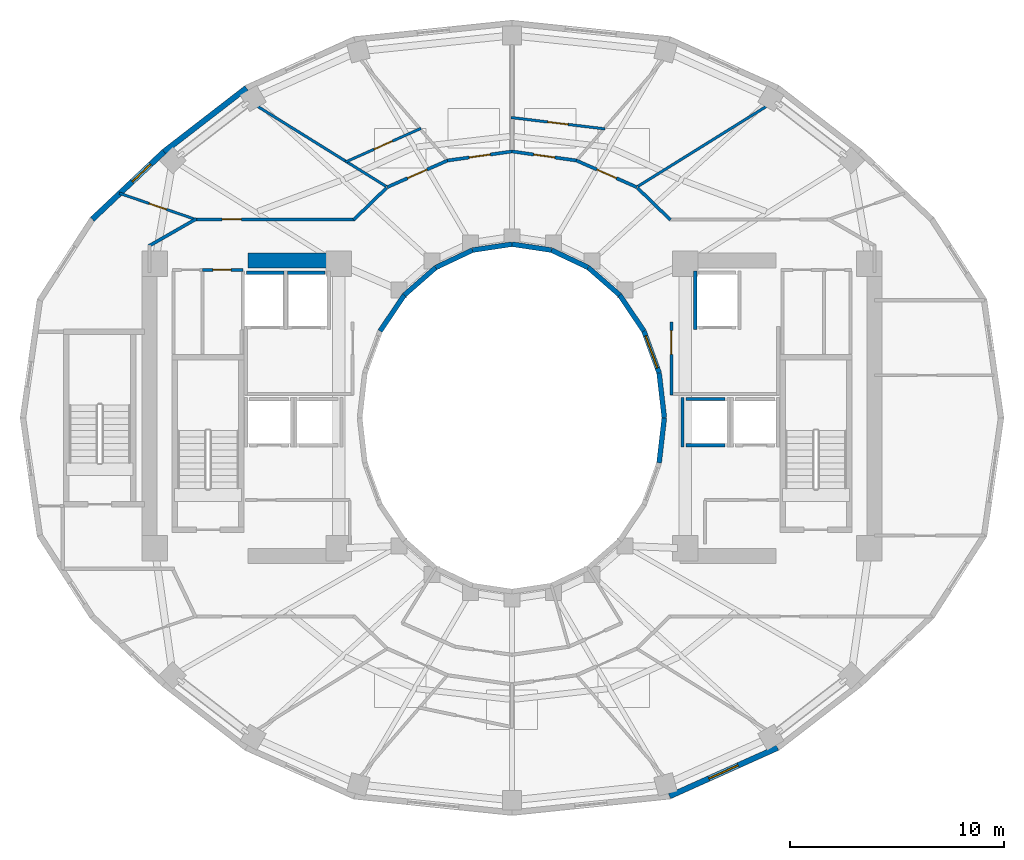
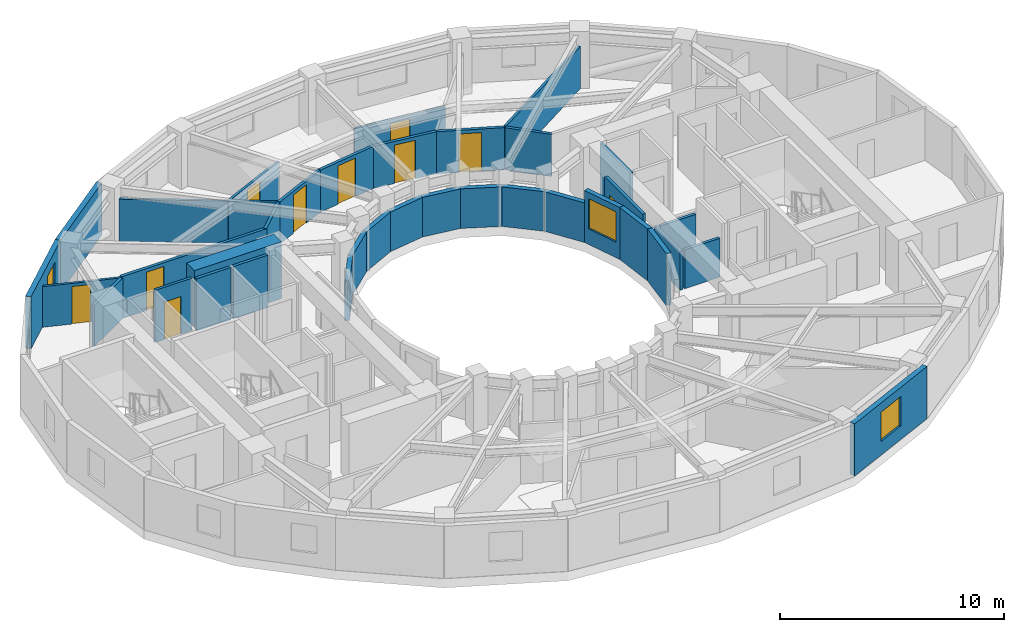
# One storey, part 5 of 9: 36 walls, 10 doors, 3 windows, 13 openings.
"""IFC4 building model written with IfcOpenShell, lengths in metres."""

from ifc_helpers import new_model, si_unit, direction, frame, frame_2d, origin, place, context, subcontext, project, spatial, rectangle, extrude, material, layer, layer_set, type_object, element, fill, save


model = new_model("IFC4")

# Units and contexts
model_context = context("Model", 3, precision=1e-05, world=origin(), true_north=direction((0.0, 1.0)))
body_context = subcontext(model_context, "Body", "Model", "MODEL_VIEW")
ifc_project = project(units=[si_unit("LENGTHUNIT", "METRE"), si_unit("AREAUNIT", "SQUARE_METRE"), si_unit("VOLUMEUNIT", "CUBIC_METRE"), si_unit("PLANEANGLEUNIT", "RADIAN"), si_unit("MASSUNIT", "GRAM", prefix="KILO")], contexts=[model_context])

# Site, building, storey
site_placement = place(None, origin())
site = spatial("IfcSite", under=ifc_project, at=site_placement, CompositionType="ELEMENT")
building_placement = place(site_placement, origin())
building = spatial("IfcBuilding", under=site, at=building_placement, Name="Solvane Sanctuary Tower", CompositionType="ELEMENT")
storey_placement = place(building_placement, frame((0.0, 0.0, 143.60009765625)))
storey = spatial("IfcBuildingStorey", under=building, at=storey_placement, Name="L43", CompositionType="ELEMENT", Elevation=143.60009765625)

# Wall
ifc_material_1 = material(Name="Concrete C60/75", Category="concrete")
ifc_layer_1 = layer(ifc_material_1, 0.699951171875, Name="Concrete C60/75")
ifc_layer_set_1 = layer_set([ifc_layer_1], Name="Concrete C60/75")
wall_type_1 = type_object("IfcWallType", Name="Wall W-CORE-700", PredefinedType="SHEAR", material=ifc_layer_set_1)
wall_1_placement = place(storey_placement, frame((19.64990234375, 30.35009765625, 0.0), z_axis=(0.0, 0.0, 1.0), x_axis=(1.0, 0.0, 0.0)))
element("IfcWall", 1, at=wall_1_placement, inside=storey, type_object=wall_type_1, Name="L43 Core Shear Wall WC-N", PredefinedType="SHEAR", context=body_context, shape_type="SweptSolid", body=[
    extrude(rectangle(XDim=4.5, YDim=0.699951171875, at=frame_2d((2.25, 0.0))), origin(), (0.0, 0.0, 1.0), 3.099853515625),
])

# Wall, opening, door
ifc_material_2 = material(Name="Acoustic Gypsum Partition Board")
ifc_layer_2 = layer(ifc_material_2, 0.14990234375, Name="Acoustic Gypsum Partition Board")
ifc_layer_set_2 = layer_set([ifc_layer_2], Name="Acoustic Gypsum Partition Board")
wall_type_2 = type_object("IfcWallType", Name="Wall W-CORR-150", PredefinedType="PARTITIONING", material=ifc_layer_set_2)
wall_2_placement = place(storey_placement, frame((39.449951171875, 24.080078125, 0.0), z_axis=(0.0, 0.0, 1.0), x_axis=(0.0, 1.0, 0.0)))
wall_2 = element("IfcWall", 2, at=wall_2_placement, inside=storey, type_object=wall_type_2, Name="L43 East Firefighting Lobby West Wall", PredefinedType="PARTITIONING", context=body_context, shape_type="SweptSolid", body=[
    extrude(rectangle(XDim=3.39990234375, YDim=0.14990234375, at=frame_2d((1.699951171875, 0.0))), origin(), (0.0, 0.0, 1.0), 2.85498046875),
])
opening_1_placement = place(wall_2_placement, frame((1.893798828125, 0.0, 0.0)))
opening_1 = element("IfcOpeningElement", 3, at=opening_1_placement, cuts=wall_2, Name="Opening D-L43-05", PredefinedType="OPENING", context=body_context, shape_type="SweptSolid", body=[
    extrude(rectangle(XDim=1.10009765625, YDim=2.10009765625, at=frame_2d((0.550048828125, 1.050048828125))), frame((0.0, 0.0849609375, 0.0), z_axis=(0.0, -1.0, 0.0), x_axis=(1.0, 0.0, 0.0)), (0.0, 0.0, 1.0), 0.169921875),
])
ifc_material_3 = material(Name="Architectural Stainless Steel 316", Category="steel")
door_type_1 = type_object("IfcDoorType", Name="Door D-FFL", OperationType="NOTDEFINED", PredefinedType="DOOR", material=ifc_material_3)
door_1_placement = place(opening_1_placement, origin())
door_1 = element("IfcDoor", 4, at=door_1_placement, inside=storey, type_object=door_type_1, Name="L43 East Firefighting Lobby Fire Door", OperationType="SINGLE_SWING_RIGHT", OverallHeight=2.10009765625, OverallWidth=1.10009765625, PredefinedType="DOOR", context=body_context, shape_type="SweptSolid", body=[
    extrude(rectangle(XDim=1.10009765625, YDim=2.10009765625, at=frame_2d((0.550048828125, 1.050048828125))), frame((0.0, 0.02490234375, 0.0), z_axis=(0.0, -1.0, 0.0), x_axis=(1.0, 0.0, 0.0)), (0.0, 0.0, 1.0), 0.050048828125),
])
fill(opening_1, door_1)

# Walls
for number, where, z_axis, x_axis, name in (
    (5, (37.867431640625, 33.748779296875, 0.0), (0.0, 0.0, 1.0), (0.717419568599, -0.696641344302, 0.0), "L43 NE Corner Throat Wall"),
    (6, (26.132568359375, 33.748779296875, 0.0), (0.0, 0.0, 1.0), (-0.717419568599, -0.696641344302, 0.0), "L43 NW Corner Throat Wall"),
):
    element("IfcWall", number, at=place(storey_placement, frame(where, z_axis=z_axis, x_axis=x_axis)), inside=storey, type_object=wall_type_2, Name=name, PredefinedType="PARTITIONING", context=body_context, shape_type="SweptSolid", body=[
        extrude(rectangle(XDim=2.138427734375, YDim=0.14990234375, at=frame_2d((1.0693359375, 0.0))), origin(), (0.0, 0.0, 1.0), 2.298828125),
    ])

# Wall, opening, door
wall_3_placement = place(storey_placement, frame((17.14990234375, 32.280029296875, 0.0), z_axis=(0.0, 0.0, 1.0), x_axis=(1.0, 0.0, 0.0)))
wall_3 = element("IfcWall", 7, at=wall_3_placement, inside=storey, type_object=wall_type_2, Name="L43 NW Corner Corridor Wall", PredefinedType="PARTITIONING", context=body_context, shape_type="SweptSolid", body=[
    extrude(rectangle(XDim=7.52001953125, YDim=0.14990234375, at=frame_2d((3.760009765625, 0.0))), origin(), (0.0, 0.0, 1.0), 2.298828125),
])
opening_2_placement = place(wall_3_placement, frame((1.300048828125, 0.0, 0.0)))
opening_2 = element("IfcOpeningElement", 8, at=opening_2_placement, cuts=wall_3, Name="Opening D-L43-17", PredefinedType="OPENING", context=body_context, shape_type="SweptSolid", body=[
    extrude(rectangle(XDim=0.89990234375, YDim=2.10009765625, at=frame_2d((0.449951171875, 1.050048828125))), frame((0.0, 0.0849609375, 0.0), z_axis=(0.0, -1.0, 0.0), x_axis=(1.0, 0.0, 0.0)), (0.0, 0.0, 1.0), 0.169921875),
])
ifc_material_4 = material(Name="Engineered Tropical Hardwood", Category="wood")
door_type_2 = type_object("IfcDoorType", Name="Door D-WET-900", OperationType="NOTDEFINED", PredefinedType="DOOR", material=ifc_material_4)
door_2_placement = place(opening_2_placement, origin())
door_2 = element("IfcDoor", 9, at=door_2_placement, inside=storey, type_object=door_type_2, Name="L43 NW Corner Salon Door", OperationType="SINGLE_SWING_RIGHT", OverallHeight=2.10009765625, OverallWidth=0.89990234375, PredefinedType="DOOR", context=body_context, shape_type="SweptSolid", body=[
    extrude(rectangle(XDim=0.89990234375, YDim=2.10009765625, at=frame_2d((0.449951171875, 1.050048828125))), frame((0.0, 0.02490234375, 0.0), z_axis=(0.0, -1.0, 0.0), x_axis=(1.0, 0.0, 0.0)), (0.0, 0.0, 1.0), 0.050048828125),
])
fill(opening_2, door_2)

# Wall
wall_4_placement = place(storey_placement, frame((17.243408203125, 32.3046875, 0.0), z_axis=(0.0, 0.0, 1.0), x_axis=(-0.867991349648, -0.496579315857, 0.0)))
element("IfcWall", 10, at=wall_4_placement, inside=storey, type_object=wall_type_2, Name="L43 NW Corner Wing Wall", PredefinedType="PARTITIONING", context=body_context, shape_type="SweptSolid", body=[
    extrude(rectangle(XDim=2.56689453125, YDim=0.14990234375, at=frame_2d((1.283447265625, 0.0))), origin(), (0.0, 0.0, 1.0), 2.219970703125),
])

# Wall, opening, door
wall_5_placement = place(storey_placement, frame((37.8349609375, 33.782958984375, 0.0), z_axis=(0.0, 0.0, 1.0), x_axis=(-0.91445214467, 0.404694051239, 0.0)))
wall_5 = element("IfcWall", 11, at=wall_5_placement, inside=storey, type_object=wall_type_2, Name="L43 Unit Corridor Wall N1", PredefinedType="PARTITIONING", context=body_context, shape_type="SweptSolid", body=[
    extrude(rectangle(XDim=3.090576171875, YDim=0.14990234375, at=frame_2d((1.54541015625, 0.0))), origin(), (0.0, 0.0, 1.0), 2.298828125),
])
opening_3_placement = place(wall_5_placement, frame((1.04541015625, 0.0, 0.0)))
opening_3 = element("IfcOpeningElement", 12, at=opening_3_placement, cuts=wall_5, Name="Opening D-L43-24", PredefinedType="OPENING", context=body_context, shape_type="SweptSolid", body=[
    extrude(rectangle(XDim=1.0, YDim=2.10009765625, at=frame_2d((0.5, 1.050048828125))), frame((0.0, 0.0849609375, 0.0), z_axis=(0.0, -1.0, 0.0), x_axis=(1.0, 0.0, 0.0)), (0.0, 0.0, 1.0), 0.169921875),
])
door_type_3 = type_object("IfcDoorType", Name="Door D-UNIT", OperationType="NOTDEFINED", PredefinedType="DOOR", material=ifc_material_4)
door_3_placement = place(opening_3_placement, origin())
door_3 = element("IfcDoor", 13, at=door_3_placement, inside=storey, type_object=door_type_3, Name="L43 Unit Entrance Door N1", OperationType="SINGLE_SWING_LEFT", OverallHeight=2.10009765625, OverallWidth=1.0, PredefinedType="DOOR", context=body_context, shape_type="SweptSolid", body=[
    extrude(rectangle(XDim=1.0, YDim=2.10009765625, at=frame_2d((0.5, 1.050048828125))), frame((0.0, 0.02490234375, 0.0), z_axis=(0.0, -1.0, 0.0), x_axis=(1.0, 0.0, 0.0)), (0.0, 0.0, 1.0), 0.050048828125),
])
fill(opening_3, door_3)

wall_6_placement = place(storey_placement, frame((35.024658203125, 35.029296875, 0.0), z_axis=(0.0, 0.0, 1.0), x_axis=(-0.990243864279, 0.139345216129, 0.0)))
wall_6 = element("IfcWall", 14, at=wall_6_placement, inside=storey, type_object=wall_type_2, Name="L43 Unit Corridor Wall N2", PredefinedType="PARTITIONING", context=body_context, shape_type="SweptSolid", body=[
    extrude(rectangle(XDim=3.0625, YDim=0.14990234375, at=frame_2d((1.53125, 0.0))), origin(), (0.0, 0.0, 1.0), 2.298828125),
])
opening_4_placement = place(wall_6_placement, frame((1.03125, 0.0, 0.0)))
opening_4 = element("IfcOpeningElement", 15, at=opening_4_placement, cuts=wall_6, Name="Opening D-L43-26", PredefinedType="OPENING", context=body_context, shape_type="SweptSolid", body=[
    extrude(rectangle(XDim=1.0, YDim=2.10009765625, at=frame_2d((0.5, 1.050048828125))), frame((0.0, 0.0849609375, 0.0), z_axis=(0.0, -1.0, 0.0), x_axis=(1.0, 0.0, 0.0)), (0.0, 0.0, 1.0), 0.169921875),
])
door_4_placement = place(opening_4_placement, origin())
door_4 = element("IfcDoor", 16, at=door_4_placement, inside=storey, type_object=door_type_3, Name="L43 Unit Entrance Door N2", OperationType="SINGLE_SWING_LEFT", OverallHeight=2.10009765625, OverallWidth=1.0, PredefinedType="DOOR", context=body_context, shape_type="SweptSolid", body=[
    extrude(rectangle(XDim=1.0, YDim=2.10009765625, at=frame_2d((0.5, 1.050048828125))), frame((0.0, 0.02490234375, 0.0), z_axis=(0.0, -1.0, 0.0), x_axis=(1.0, 0.0, 0.0)), (0.0, 0.0, 1.0), 0.050048828125),
])
fill(opening_4, door_4)

wall_7_placement = place(storey_placement, frame((32.008056640625, 35.4560546875, 0.0), z_axis=(0.0, 0.0, 1.0), x_axis=(-0.990243864279, -0.139345216129, 0.0)))
wall_7 = element("IfcWall", 17, at=wall_7_placement, inside=storey, type_object=wall_type_2, Name="L43 Unit Corridor Wall N3", PredefinedType="PARTITIONING", context=body_context, shape_type="SweptSolid", body=[
    extrude(rectangle(XDim=3.0625, YDim=0.14990234375, at=frame_2d((1.53125, 0.0))), origin(), (0.0, 0.0, 1.0), 2.298828125),
])
opening_5_placement = place(wall_7_placement, frame((1.03125, 0.0, 0.0)))
opening_5 = element("IfcOpeningElement", 18, at=opening_5_placement, cuts=wall_7, Name="Opening D-L43-27", PredefinedType="OPENING", context=body_context, shape_type="SweptSolid", body=[
    extrude(rectangle(XDim=1.0, YDim=2.10009765625, at=frame_2d((0.5, 1.050048828125))), frame((0.0, 0.0849609375, 0.0), z_axis=(0.0, -1.0, 0.0), x_axis=(1.0, 0.0, 0.0)), (0.0, 0.0, 1.0), 0.169921875),
])
door_5_placement = place(opening_5_placement, origin())
door_5 = element("IfcDoor", 19, at=door_5_placement, inside=storey, type_object=door_type_3, Name="L43 Unit Entrance Door N3", OperationType="SINGLE_SWING_RIGHT", OverallHeight=2.10009765625, OverallWidth=1.0, PredefinedType="DOOR", context=body_context, shape_type="SweptSolid", body=[
    extrude(rectangle(XDim=1.0, YDim=2.10009765625, at=frame_2d((0.5, 1.050048828125))), frame((0.0, 0.02490234375, 0.0), z_axis=(0.0, -1.0, 0.0), x_axis=(1.0, 0.0, 0.0)), (0.0, 0.0, 1.0), 0.050048828125),
])
fill(opening_5, door_5)

wall_8_placement = place(storey_placement, frame((28.9912109375, 35.03369140625, 0.0), z_axis=(0.0, 0.0, 1.0), x_axis=(-0.91445214467, -0.404694051239, 0.0)))
wall_8 = element("IfcWall", 20, at=wall_8_placement, inside=storey, type_object=wall_type_2, Name="L43 Unit Corridor Wall N4", PredefinedType="PARTITIONING", context=body_context, shape_type="SweptSolid", body=[
    extrude(rectangle(XDim=3.090576171875, YDim=0.14990234375, at=frame_2d((1.54541015625, 0.0))), origin(), (0.0, 0.0, 1.0), 2.298828125),
])
opening_6_placement = place(wall_8_placement, frame((1.04541015625, 0.0, 0.0)))
opening_6 = element("IfcOpeningElement", 21, at=opening_6_placement, cuts=wall_8, Name="Opening D-L43-29", PredefinedType="OPENING", context=body_context, shape_type="SweptSolid", body=[
    extrude(rectangle(XDim=1.0, YDim=2.10009765625, at=frame_2d((0.5, 1.050048828125))), frame((0.0, 0.0849609375, 0.0), z_axis=(0.0, -1.0, 0.0), x_axis=(1.0, 0.0, 0.0)), (0.0, 0.0, 1.0), 0.169921875),
])
door_6_placement = place(opening_6_placement, origin())
door_6 = element("IfcDoor", 22, at=door_6_placement, inside=storey, type_object=door_type_3, Name="L43 Unit Entrance Door N4", OperationType="SINGLE_SWING_RIGHT", OverallHeight=2.10009765625, OverallWidth=1.0, PredefinedType="DOOR", context=body_context, shape_type="SweptSolid", body=[
    extrude(rectangle(XDim=1.0, YDim=2.10009765625, at=frame_2d((0.5, 1.050048828125))), frame((0.0, 0.02490234375, 0.0), z_axis=(0.0, -1.0, 0.0), x_axis=(1.0, 0.0, 0.0)), (0.0, 0.0, 1.0), 0.050048828125),
])
fill(opening_6, door_6)

# Wall
ifc_material_5 = material(Name="Precast concrete C40/50", Category="concrete")
ifc_layer_3 = layer(ifc_material_5, 0.260009765625, Name="Precast concrete C40/50")
ifc_layer_set_3 = layer_set([ifc_layer_3], Name="Precast concrete C40/50")
wall_type_3 = type_object("IfcWallType", Name="Wall W-EXT-250", PredefinedType="STANDARD", material=ifc_layer_set_3)
wall_9_placement = place(storey_placement, frame((19.5869140625, 38.41943359375, 0.0), z_axis=(0.0, 0.0, 1.0), x_axis=(-0.791460185804, -0.611220724687, 0.0)))
element("IfcWall", 23, at=wall_9_placement, inside=storey, type_object=wall_type_3, Name="L43 Ceramic-Printed Facade Wall 08", PredefinedType="STANDARD", context=body_context, shape_type="SweptSolid", body=[
    extrude(rectangle(XDim=4.872314453125, YDim=0.260009765625, at=frame_2d((2.43603515625, 0.0))), origin(), (0.0, 0.0, 1.0), 2.849853515625),
])

# Wall, opening, window
wall_10_placement = place(storey_placement, frame((15.730712890625, 35.44140625, 0.0), z_axis=(0.0, 0.0, 1.0), x_axis=(-0.727667301037, -0.68593024354, 0.0)))
wall_10 = element("IfcWall", 24, at=wall_10_placement, inside=storey, type_object=wall_type_3, Name="L43 Ceramic-Printed Facade Wall 09", PredefinedType="STANDARD", context=body_context, shape_type="SweptSolid", body=[
    extrude(rectangle(XDim=4.603515625, YDim=0.260009765625, at=frame_2d((2.3017578125, 0.0))), origin(), (0.0, 0.0, 1.0), 2.849853515625),
])
opening_7_placement = place(wall_10_placement, frame((0.843994140625, 0.0, 0.75)))
opening_7 = element("IfcOpeningElement", 25, at=opening_7_placement, cuts=wall_10, Name="Opening WN-OPER-1200", PredefinedType="OPENING", context=body_context, shape_type="SweptSolid", body=[
    extrude(rectangle(XDim=1.199951171875, YDim=1.5, at=frame_2d((0.60009765625, 0.75))), frame((0.0, 0.139892578125, 0.0), z_axis=(0.0, -1.0, 0.0), x_axis=(1.0, 0.0, 0.0)), (0.0, 0.0, 1.0), 0.280029296875),
])
ifc_material_6 = material(Name="Dark Ceramic-Fritted Low-E Glass", Category="glass")
window_type_1 = type_object("IfcWindowType", Name="Window WN-OPER-1200", PartitioningType="SINGLE_PANEL", PredefinedType="WINDOW", material=ifc_material_6)
window_1_placement = place(opening_7_placement, origin())
window_1 = element("IfcWindow", 26, at=window_1_placement, inside=storey, type_object=window_type_1, Name="L43 Operable Facade Window 09", OverallHeight=1.5, OverallWidth=1.199951171875, PartitioningType="SINGLE_PANEL", PredefinedType="WINDOW", context=body_context, shape_type="SweptSolid", body=[
    extrude(rectangle(XDim=1.199951171875, YDim=1.5, at=frame_2d((0.60009765625, 0.75))), frame((0.0, 0.030029296875, 0.0), z_axis=(0.0, -1.0, 0.0), x_axis=(1.0, 0.0, 0.0)), (0.0, 0.0, 1.0), 0.06005859375),
])
fill(opening_7, window_1)

wall_11_placement = place(storey_placement, frame((39.365234375, 5.3154296875, 0.0), z_axis=(0.0, 0.0, 1.0), x_axis=(0.912353637112, 0.409403029847, 0.0)))
wall_11 = element("IfcWall", 27, at=wall_11_placement, inside=storey, type_object=wall_type_3, Name="L43 Ceramic-Printed Facade Wall 19", PredefinedType="STANDARD", context=body_context, shape_type="SweptSolid", body=[
    extrude(rectangle(XDim=5.53271484375, YDim=0.260009765625, at=frame_2d((2.766357421875, 0.0))), origin(), (0.0, 0.0, 1.0), 2.849853515625),
])
opening_8_placement = place(wall_11_placement, frame((2.016357421875, 0.0, 0.75)))
opening_8 = element("IfcOpeningElement", 28, at=opening_8_placement, cuts=wall_11, Name="Opening WN-OPER-1500", PredefinedType="OPENING", context=body_context, shape_type="SweptSolid", body=[
    extrude(rectangle(XDim=1.5, YDim=1.60009765625, at=frame_2d((0.75, 0.800048828125))), frame((0.0, 0.139892578125, 0.0), z_axis=(0.0, -1.0, 0.0), x_axis=(1.0, 0.0, 0.0)), (0.0, 0.0, 1.0), 0.280029296875),
])
window_type_2 = type_object("IfcWindowType", Name="Window WN-OPER-1500", PartitioningType="SINGLE_PANEL", PredefinedType="WINDOW", material=ifc_material_6)
window_2_placement = place(opening_8_placement, origin())
window_2 = element("IfcWindow", 29, at=window_2_placement, inside=storey, type_object=window_type_2, Name="L43 Operable Facade Window 19", OverallHeight=1.60009765625, OverallWidth=1.5, PartitioningType="SINGLE_PANEL", PredefinedType="WINDOW", context=body_context, shape_type="SweptSolid", body=[
    extrude(rectangle(XDim=1.5, YDim=1.60009765625, at=frame_2d((0.75, 0.800048828125))), frame((0.0, 0.030029296875, 0.0), z_axis=(0.0, -1.0, 0.0), x_axis=(1.0, 0.0, 0.0)), (0.0, 0.0, 1.0), 0.06005859375),
])
fill(opening_8, window_2)

# Wall
ifc_layer_4 = layer(ifc_material_5, 0.22998046875, Name="Precast concrete C40/50")
ifc_layer_set_4 = layer_set([ifc_layer_4], Name="Precast concrete C40/50")
wall_type_4 = type_object("IfcWallType", Name="Wall W-EXT-SP220", PredefinedType="STANDARD", material=ifc_layer_set_4)
wall_12_placement = place(storey_placement, frame((39.1201171875, 23.0, 0.0), z_axis=(0.0, 0.0, 1.0), x_axis=(-0.114711713601, 0.993398823617, 0.0)))
element("IfcWall", 30, at=wall_12_placement, inside=storey, type_object=wall_type_4, Name="L43 Central Light-Well Wall 00", PredefinedType="STANDARD", context=body_context, shape_type="SweptSolid", body=[
    extrude(rectangle(XDim=2.115478515625, YDim=0.22998046875, at=frame_2d((1.0576171875, 0.0))), origin(), (0.0, 0.0, 1.0), 2.83984375),
])

# Wall, opening, window
wall_13_placement = place(storey_placement, frame((38.87744140625, 25.1015625, 0.0), z_axis=(0.0, 0.0, 1.0), x_axis=(-0.341423187295, 0.93990968033, 0.0)))
wall_13 = element("IfcWall", 31, at=wall_13_placement, inside=storey, type_object=wall_type_4, Name="L43 Central Light-Well Wall 01", PredefinedType="STANDARD", context=body_context, shape_type="SweptSolid", body=[
    extrude(rectangle(XDim=2.083740234375, YDim=0.22998046875, at=frame_2d((1.0419921875, 0.0))), origin(), (0.0, 0.0, 1.0), 2.83984375),
])
opening_9_placement = place(wall_13_placement, frame((0.24169921875, 0.0, 0.85009765625)))
opening_9 = element("IfcOpeningElement", 32, at=opening_9_placement, cuts=wall_13, Name="Opening WN-WELL-1600", PredefinedType="OPENING", context=body_context, shape_type="SweptSolid", body=[
    extrude(rectangle(XDim=1.60009765625, YDim=1.64990234375, at=frame_2d((0.800048828125, 0.824951171875))), frame((0.0, 0.125, 0.0), z_axis=(0.0, -1.0, 0.0), x_axis=(1.0, 0.0, 0.0)), (0.0, 0.0, 1.0), 0.25),
])
ifc_material_7 = material(Name="Clear Laminated Light-Well Glass", Category="glass")
window_type_3 = type_object("IfcWindowType", Name="Window WN-WELL-1600", PartitioningType="SINGLE_PANEL", PredefinedType="WINDOW", material=ifc_material_7)
window_3_placement = place(opening_9_placement, origin())
window_3 = element("IfcWindow", 33, at=window_3_placement, inside=storey, type_object=window_type_3, Name="L43 Light-Well Daylight Window 01", OverallHeight=1.64990234375, OverallWidth=1.60009765625, PartitioningType="SINGLE_PANEL", PredefinedType="WINDOW", context=body_context, shape_type="SweptSolid", body=[
    extrude(rectangle(XDim=1.60009765625, YDim=1.64990234375, at=frame_2d((0.800048828125, 0.824951171875))), frame((0.0, 0.030029296875, 0.0), z_axis=(0.0, -1.0, 0.0), x_axis=(1.0, 0.0, 0.0)), (0.0, 0.0, 1.0), 0.06005859375),
])
fill(opening_9, window_3)

# Walls
wall_14_placement = place(storey_placement, frame((38.166015625, 27.06005859375, 0.0), z_axis=(0.0, 0.0, 1.0), x_axis=(-0.558197800898, 0.829707909492, 0.0)))
element("IfcWall", 34, at=wall_14_placement, inside=storey, type_object=wall_type_4, Name="L43 Central Light-Well Wall 02", PredefinedType="STANDARD", context=body_context, shape_type="SweptSolid", body=[
    extrude(rectangle(XDim=2.02685546875, YDim=0.22998046875, at=frame_2d((1.013427734375, 0.0))), origin(), (0.0, 0.0, 1.0), 2.159912109375),
])
wall_15_placement = place(storey_placement, frame((37.03466796875, 28.74169921875, 0.0), z_axis=(0.0, 0.0, 1.0), x_axis=(-0.752576694707, 0.658504607869, 0.0)))
element("IfcWall", 35, at=wall_15_placement, inside=storey, type_object=wall_type_4, Name="L43 Central Light-Well Wall 03", PredefinedType="STANDARD", context=body_context, shape_type="SweptSolid", body=[
    extrude(rectangle(XDim=1.95947265625, YDim=0.22998046875, at=frame_2d((0.979736328125, 0.0))), origin(), (0.0, 0.0, 1.0), 2.159912109375),
])
wall_16_placement = place(storey_placement, frame((35.56005859375, 30.031982421875, 0.0), z_axis=(0.0, 0.0, 1.0), x_axis=(-0.904179699603, 0.427152280606, 0.0)))
element("IfcWall", 36, at=wall_16_placement, inside=storey, type_object=wall_type_4, Name="L43 Central Light-Well Wall 04", PredefinedType="STANDARD", context=body_context, shape_type="SweptSolid", body=[
    extrude(rectangle(XDim=1.899169921875, YDim=0.22998046875, at=frame_2d((0.94970703125, 0.0))), origin(), (0.0, 0.0, 1.0), 2.159912109375),
])
for number, where, z_axis, x_axis, name in (
    (37, (33.8427734375, 30.84326171875, 0.0), (0.0, 0.0, 1.0), (-0.988901730308, 0.148571086668, 0.0), "L43 Central Light-Well Wall 05"),
    (38, (32.0, 31.1201171875, 0.0), (0.0, 0.0, 1.0), (-0.988901730308, -0.148571086668, 0.0), "L43 Central Light-Well Wall 06"),
):
    element("IfcWall", number, at=place(storey_placement, frame(where, z_axis=z_axis, x_axis=x_axis)), inside=storey, type_object=wall_type_4, Name=name, PredefinedType="STANDARD", context=body_context, shape_type="SweptSolid", body=[
        extrude(rectangle(XDim=1.863525390625, YDim=0.22998046875, at=frame_2d((0.931640625, 0.0))), origin(), (0.0, 0.0, 1.0), 2.159912109375),
    ])
wall_17_placement = place(storey_placement, frame((30.1572265625, 30.84326171875, 0.0), z_axis=(0.0, 0.0, 1.0), x_axis=(-0.904179699603, -0.427152280606, 0.0)))
element("IfcWall", 39, at=wall_17_placement, inside=storey, type_object=wall_type_4, Name="L43 Central Light-Well Wall 07", PredefinedType="STANDARD", context=body_context, shape_type="SweptSolid", body=[
    extrude(rectangle(XDim=1.899169921875, YDim=0.22998046875, at=frame_2d((0.94970703125, 0.0))), origin(), (0.0, 0.0, 1.0), 2.159912109375),
])
wall_18_placement = place(storey_placement, frame((28.43994140625, 30.031982421875, 0.0), z_axis=(0.0, 0.0, 1.0), x_axis=(-0.752576694707, -0.658504607869, 0.0)))
element("IfcWall", 40, at=wall_18_placement, inside=storey, type_object=wall_type_4, Name="L43 Central Light-Well Wall 08", PredefinedType="STANDARD", context=body_context, shape_type="SweptSolid", body=[
    extrude(rectangle(XDim=1.95947265625, YDim=0.22998046875, at=frame_2d((0.979736328125, 0.0))), origin(), (0.0, 0.0, 1.0), 2.159912109375),
])
wall_19_placement = place(storey_placement, frame((26.96533203125, 28.74169921875, 0.0), z_axis=(0.0, 0.0, 1.0), x_axis=(-0.558197800898, -0.829707909492, 0.0)))
element("IfcWall", 41, at=wall_19_placement, inside=storey, type_object=wall_type_4, Name="L43 Central Light-Well Wall 09", PredefinedType="STANDARD", context=body_context, shape_type="SweptSolid", body=[
    extrude(rectangle(XDim=2.02685546875, YDim=0.22998046875, at=frame_2d((1.013427734375, 0.0))), origin(), (0.0, 0.0, 1.0), 2.159912109375),
])
wall_20_placement = place(storey_placement, frame((38.87744140625, 20.8984375, 0.0), z_axis=(0.0, 0.0, 1.0), x_axis=(0.114711713601, 0.993398823617, 0.0)))
element("IfcWall", 42, at=wall_20_placement, inside=storey, type_object=wall_type_4, Name="L43 Central Light-Well Wall 23", PredefinedType="STANDARD", context=body_context, shape_type="SweptSolid", body=[
    extrude(rectangle(XDim=2.115478515625, YDim=0.22998046875, at=frame_2d((1.0576171875, 0.0))), origin(), (0.0, 0.0, 1.0), 2.83984375),
])

# Wall, opening, door
ifc_layer_5 = layer(ifc_material_2, 0.1201171875, Name="Acoustic Gypsum Partition Board")
ifc_layer_set_5 = layer_set([ifc_layer_5], Name="Acoustic Gypsum Partition Board")
wall_type_5 = type_object("IfcWallType", Name="Wall W-MOV-100", PredefinedType="MOVABLE", material=ifc_layer_set_5)
wall_21_placement = place(storey_placement, frame((17.247314453125, 32.263671875, 0.0), z_axis=(0.0, 0.0, 1.0), x_axis=(-0.945683523506, 0.325088716151, 0.0)))
wall_21 = element("IfcWall", 43, at=wall_21_placement, inside=storey, type_object=wall_type_5, Name="L43 NW Corner Suite Partition", PredefinedType="MOVABLE", context=body_context, shape_type="SweptSolid", body=[
    extrude(rectangle(XDim=3.812744140625, YDim=0.1201171875, at=frame_2d((1.90625, 0.0))), origin(), (0.0, 0.0, 1.0), 2.219970703125),
])
opening_10_placement = place(wall_21_placement, frame((1.4814453125, 0.0, 0.0)))
opening_10 = element("IfcOpeningElement", 44, at=opening_10_placement, cuts=wall_21, Name="Opening D-L43-16", PredefinedType="OPENING", context=body_context, shape_type="SweptSolid", body=[
    extrude(rectangle(XDim=0.85009765625, YDim=2.050048828125, at=frame_2d((0.425048828125, 1.02490234375))), frame((0.0, 0.070068359375, 0.0), z_axis=(0.0, -1.0, 0.0), x_axis=(1.0, 0.0, 0.0)), (0.0, 0.0, 1.0), 0.14013671875),
])
door_type_4 = type_object("IfcDoorType", Name="Door D-RISER", OperationType="NOTDEFINED", PredefinedType="DOOR", material=ifc_material_3)
door_7_placement = place(opening_10_placement, origin())
door_7 = element("IfcDoor", 45, at=door_7_placement, inside=storey, type_object=door_type_4, Name="L43 NW Corner Suite Door", OperationType="SINGLE_SWING_LEFT", OverallHeight=2.050048828125, OverallWidth=0.85009765625, PredefinedType="DOOR", context=body_context, shape_type="SweptSolid", body=[
    extrude(rectangle(XDim=0.85009765625, YDim=2.050048828125, at=frame_2d((0.425048828125, 1.02490234375))), frame((0.0, 0.02490234375, 0.0), z_axis=(0.0, -1.0, 0.0), x_axis=(1.0, 0.0, 0.0)), (0.0, 0.0, 1.0), 0.050048828125),
])
fill(opening_10, door_7)

wall_22_placement = place(storey_placement, frame((36.347412109375, 36.50830078125, 0.0), z_axis=(0.0, 0.0, 1.0), x_axis=(-0.99272080673, 0.120438365503, 0.0)))
wall_22 = element("IfcWall", 46, at=wall_22_placement, inside=storey, type_object=wall_type_5, Name="L43 Suite Sitting Lounge Partition N2", PredefinedType="MOVABLE", context=body_context, shape_type="SweptSolid", body=[
    extrude(rectangle(XDim=4.42919921875, YDim=0.1201171875, at=frame_2d((2.214599609375, 0.0))), origin(), (0.0, 0.0, 1.0), 2.298828125),
])
opening_11_placement = place(wall_22_placement, frame((1.73974609375, 0.0, 0.0)))
opening_11 = element("IfcOpeningElement", 47, at=opening_11_placement, cuts=wall_22, Name="Opening D-L43-25", PredefinedType="OPENING", context=body_context, shape_type="SweptSolid", body=[
    extrude(rectangle(XDim=0.949951171875, YDim=2.10009765625, at=frame_2d((0.47509765625, 1.050048828125))), frame((0.0, 0.070068359375, 0.0), z_axis=(0.0, -1.0, 0.0), x_axis=(1.0, 0.0, 0.0)), (0.0, 0.0, 1.0), 0.14013671875),
])
door_type_5 = type_object("IfcDoorType", Name="Door D-ROOM-950", OperationType="NOTDEFINED", PredefinedType="DOOR", material=ifc_material_4)
door_8_placement = place(opening_11_placement, origin())
door_8 = element("IfcDoor", 48, at=door_8_placement, inside=storey, type_object=door_type_5, Name="L43 Suite Sitting Lounge Door N2", OperationType="SINGLE_SWING_RIGHT", OverallHeight=2.10009765625, OverallWidth=0.949951171875, PredefinedType="DOOR", context=body_context, shape_type="SweptSolid", body=[
    extrude(rectangle(XDim=0.949951171875, YDim=2.10009765625, at=frame_2d((0.47509765625, 1.050048828125))), frame((0.0, 0.02490234375, 0.0), z_axis=(0.0, -1.0, 0.0), x_axis=(1.0, 0.0, 0.0)), (0.0, 0.0, 1.0), 0.050048828125),
])
fill(opening_11, door_8)

wall_23_placement = place(storey_placement, frame((27.747802734375, 36.534912109375, 0.0), z_axis=(0.0, 0.0, 1.0), x_axis=(-0.913405492862, -0.407050863665, 0.0)))
wall_23 = element("IfcWall", 49, at=wall_23_placement, inside=storey, type_object=wall_type_5, Name="L43 Suite Sitting Lounge Partition N4", PredefinedType="MOVABLE", context=body_context, shape_type="SweptSolid", body=[
    extrude(rectangle(XDim=3.8720703125, YDim=0.1201171875, at=frame_2d((1.93603515625, 0.0))), origin(), (0.0, 0.0, 1.0), 2.298828125),
])
opening_12_placement = place(wall_23_placement, frame((1.4609375, 0.0, 0.0)))
opening_12 = element("IfcOpeningElement", 50, at=opening_12_placement, cuts=wall_23, Name="Opening D-L43-28", PredefinedType="OPENING", context=body_context, shape_type="SweptSolid", body=[
    extrude(rectangle(XDim=0.949951171875, YDim=2.10009765625, at=frame_2d((0.47509765625, 1.050048828125))), frame((0.0, 0.070068359375, 0.0), z_axis=(0.0, -1.0, 0.0), x_axis=(1.0, 0.0, 0.0)), (0.0, 0.0, 1.0), 0.14013671875),
])
door_9_placement = place(opening_12_placement, origin())
door_9 = element("IfcDoor", 51, at=door_9_placement, inside=storey, type_object=door_type_5, Name="L43 Suite Sitting Lounge Door N4", OperationType="SINGLE_SWING_LEFT", OverallHeight=2.10009765625, OverallWidth=0.949951171875, PredefinedType="DOOR", context=body_context, shape_type="SweptSolid", body=[
    extrude(rectangle(XDim=0.949951171875, YDim=2.10009765625, at=frame_2d((0.47509765625, 1.050048828125))), frame((0.0, 0.02490234375, 0.0), z_axis=(0.0, -1.0, 0.0), x_axis=(1.0, 0.0, 0.0)), (0.0, 0.0, 1.0), 0.050048828125),
])
fill(opening_12, door_9)

# Walls
ifc_layer_6 = layer(ifc_material_2, 0.125, Name="Acoustic Gypsum Partition Board")
ifc_layer_set_6 = layer_set([ifc_layer_6], Name="Acoustic Gypsum Partition Board")
wall_type_6 = type_object("IfcWallType", Name="Wall W-PART-125", PredefinedType="PARTITIONING", material=ifc_layer_set_6)
for number, where, z_axis, x_axis, name in (
    (52, (37.874755859375, 33.81640625, 0.0), (0.0, 0.0, 1.0), (0.849008457073, 0.528379257559, 0.0), "L43 Radial Compartment Wall 060"),
    (53, (26.125244140625, 33.81640625, 0.0), (0.0, 0.0, 1.0), (-0.849008457073, 0.528379257559, 0.0), "L43 Radial Compartment Wall 120"),
):
    element("IfcWall", number, at=place(storey_placement, frame(where, z_axis=z_axis, x_axis=x_axis)), inside=storey, type_object=wall_type_6, Name=name, PredefinedType="PARTITIONING", context=body_context, shape_type="SweptSolid", body=[
        extrude(rectangle(XDim=7.076904296875, YDim=0.125, at=frame_2d((3.53857421875, 0.0))), origin(), (0.0, 0.0, 1.0), 2.298828125),
    ])
ifc_material_8 = material(Name="Concrete C50/60", Category="concrete")
ifc_layer_7 = layer(ifc_material_8, 0.14990234375, Name="Concrete C50/60")
ifc_layer_set_7 = layer_set([ifc_layer_7], Name="Concrete C50/60")
wall_type_7 = type_object("IfcWallType", Name="Wall W-SHAFT-150", PredefinedType="SOLIDWALL", material=ifc_layer_set_7)
for number, where, z_axis, x_axis, name in (
    (54, (40.139892578125, 21.719970703125, 0.0), (0.0, 0.0, 1.0), (1.0, 0.0, 0.0), "L43 PH-2 Lift Shaft Wall F"),
    (55, (40.139892578125, 23.8798828125, 0.0), (0.0, 0.0, 1.0), (1.0, 0.0, 0.0), "L43 PH-2 Lift Shaft Wall B"),
):
    element("IfcWall", number, at=place(storey_placement, frame(where, z_axis=z_axis, x_axis=x_axis)), inside=storey, type_object=wall_type_7, Name=name, PredefinedType="SOLIDWALL", context=body_context, shape_type="SweptSolid", body=[
        extrude(rectangle(XDim=1.820068359375, YDim=0.14990234375, at=frame_2d((0.91015625, 0.0))), origin(), (0.0, 0.0, 1.0), 2.119873046875),
    ])
wall_24_placement = place(storey_placement, frame((39.969970703125, 21.639892578125, 0.0), z_axis=(0.0, 0.0, 1.0), x_axis=(0.0, 1.0, 0.0)))
element("IfcWall", 56, at=wall_24_placement, inside=storey, type_object=wall_type_7, Name="L43 PH-2 Lift Shaft Wall S1", PredefinedType="SOLIDWALL", context=body_context, shape_type="SweptSolid", body=[
    extrude(rectangle(XDim=2.320068359375, YDim=0.14990234375, at=frame_2d((1.16015625, 0.0))), origin(), (0.0, 0.0, 1.0), 2.119873046875),
])
for number, where, z_axis, x_axis, name in (
    (57, (19.590087890625, 29.780029296875, 0.0), (0.0, 0.0, 1.0), (1.0, 0.0, 0.0), "L43 FFL-1 Lift Shaft Wall B"),
    (58, (21.5, 29.780029296875, 0.0), (0.0, 0.0, 1.0), (1.0, 0.0, 0.0), "L43 SVL-1 Lift Shaft Wall B"),
):
    element("IfcWall", number, at=place(storey_placement, frame(where, z_axis=z_axis, x_axis=x_axis)), inside=storey, type_object=wall_type_7, Name=name, PredefinedType="SOLIDWALL", context=body_context, shape_type="SweptSolid", body=[
        extrude(rectangle(XDim=1.760009765625, YDim=0.14990234375, at=frame_2d((0.8798828125, 0.0))), origin(), (0.0, 0.0, 1.0), 2.85498046875),
    ])
wall_25_placement = place(storey_placement, frame((40.570068359375, 27.139892578125, 0.0), z_axis=(0.0, 0.0, 1.0), x_axis=(0.0, 1.0, 0.0)))
element("IfcWall", 59, at=wall_25_placement, inside=storey, type_object=wall_type_7, Name="L43 FFL-2 Lift Shaft Wall S1", PredefinedType="SOLIDWALL", context=body_context, shape_type="SweptSolid", body=[
    extrude(rectangle(XDim=2.72021484375, YDim=0.14990234375, at=frame_2d((1.360107421875, 0.0))), origin(), (0.0, 0.0, 1.0), 2.85498046875),
])

# Wall, opening, door
ifc_layer_8 = layer(ifc_material_2, 0.139892578125, Name="Acoustic Gypsum Partition Board")
ifc_layer_set_8 = layer_set([ifc_layer_8], Name="Acoustic Gypsum Partition Board")
wall_type_8 = type_object("IfcWallType", Name="Wall W-WET-140", PredefinedType="PLUMBINGWALL", material=ifc_layer_set_8)
wall_26_placement = place(storey_placement, frame((17.52001953125, 29.919921875, 0.0), z_axis=(0.0, 0.0, 1.0), x_axis=(1.0, 0.0, 0.0)))
wall_26 = element("IfcWall", 60, at=wall_26_placement, inside=storey, type_object=wall_type_8, Name="L43 Core Service Front Wall KW2", PredefinedType="PLUMBINGWALL", context=body_context, shape_type="SweptSolid", body=[
    extrude(rectangle(XDim=1.89990234375, YDim=0.139892578125, at=frame_2d((0.949951171875, 0.0))), origin(), (0.0, 0.0, 1.0), 2.85498046875),
])
opening_13_placement = place(wall_26_placement, frame((0.5, 0.0, 0.0)))
opening_13 = element("IfcOpeningElement", 61, at=opening_13_placement, cuts=wall_26, Name="Opening D-L43-09", PredefinedType="OPENING", context=body_context, shape_type="SweptSolid", body=[
    extrude(rectangle(XDim=0.85009765625, YDim=2.050048828125, at=frame_2d((0.425048828125, 1.02490234375))), frame((0.0, 0.079833984375, 0.0), z_axis=(0.0, -1.0, 0.0), x_axis=(1.0, 0.0, 0.0)), (0.0, 0.0, 1.0), 0.159912109375),
])
door_10_placement = place(opening_13_placement, origin())
door_10 = element("IfcDoor", 62, at=door_10_placement, inside=storey, type_object=door_type_4, Name="L43 Core Service Room Door KW2-1", OperationType="SINGLE_SWING_RIGHT", OverallHeight=2.050048828125, OverallWidth=0.85009765625, PredefinedType="DOOR", context=body_context, shape_type="SweptSolid", body=[
    extrude(rectangle(XDim=0.85009765625, YDim=2.050048828125, at=frame_2d((0.425048828125, 1.02490234375))), frame((0.0, 0.02490234375, 0.0), z_axis=(0.0, -1.0, 0.0), x_axis=(1.0, 0.0, 0.0)), (0.0, 0.0, 1.0), 0.050048828125),
])
fill(opening_13, door_10)

save(model, "model.ifc")
